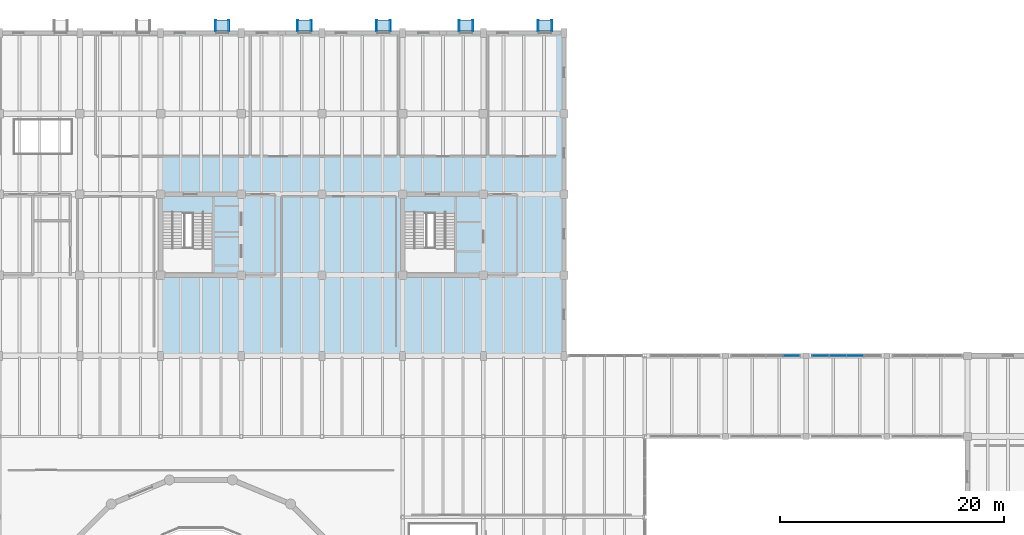
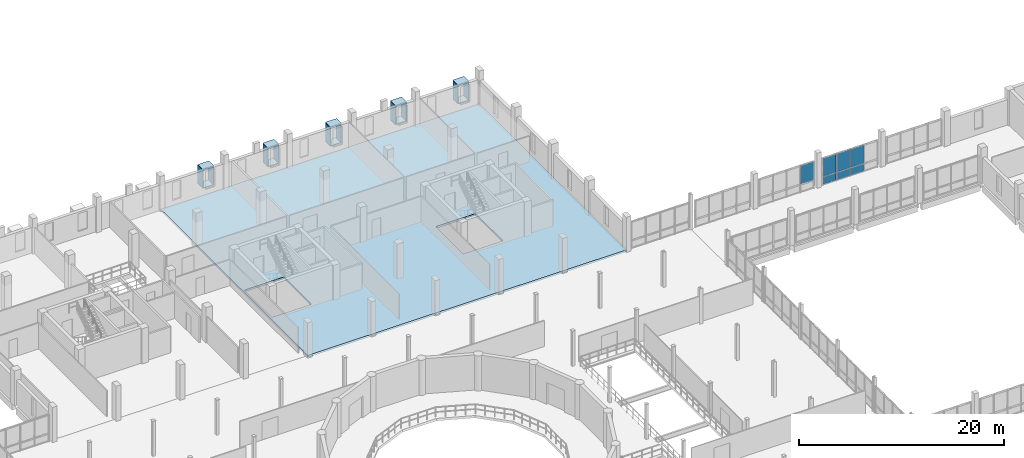
# One storey, part 50 of 72: 27 plates, 1 slab, 2 elements without a shape of their own.
"""IFC4 building model written with IfcOpenShell, lengths in metres."""

from ifc_helpers import new_model, si_unit, direction, frame, frame_2d, origin, origin_2d, place, context, subcontext, project, spatial, polyline, rectangle, outline, extrude, material, layer, layer_set, type_object, element, aggregate, save


model = new_model("IFC4")

# Units and contexts
model_context = context("Model", 3, precision=1e-05, world=origin(), true_north=direction((0.0, 1.0)))
body_context = subcontext(model_context, "Body", "Model", "MODEL_VIEW")
ifc_project = project(units=[si_unit("LENGTHUNIT", "METRE"), si_unit("AREAUNIT", "SQUARE_METRE"), si_unit("VOLUMEUNIT", "CUBIC_METRE"), si_unit("PLANEANGLEUNIT", "RADIAN"), si_unit("MASSUNIT", "GRAM", prefix="KILO")], contexts=[model_context])

# Site, building, storey
site_placement = place(None, origin())
site = spatial("IfcSite", under=ifc_project, at=site_placement, CompositionType="ELEMENT")
building_placement = place(site_placement, origin())
building = spatial("IfcBuilding", under=site, at=building_placement, Name="Qiaolan Assembly House", CompositionType="ELEMENT")
storey_placement = place(building_placement, frame((0.0, 0.0, 10.199951171875)))
storey = spatial("IfcBuildingStorey", under=building, at=storey_placement, Name="L02", CompositionType="ELEMENT", Elevation=10.199951171875)

# Curtain wall, plate
ifc_material_1 = material(Name="Anodised bronze aluminium", Category="aluminium")
curtain_wall_type = type_object("IfcCurtainWallType", Name="CW-CLOISTER-420", PredefinedType="NOTDEFINED", material=ifc_material_1)
curtain_wall_1_placement = place(storey_placement, origin())
curtain_wall_1 = element("IfcCurtainWall", 1, at=curtain_wall_1_placement, inside=storey, type_object=curtain_wall_type, Name="CW-05 North Cloister outer arcade L02-2", PredefinedType="NOTDEFINED")
ifc_material_2 = material(Name="Low-E double insulating glass", Category="glass")
ifc_layer_1 = layer(ifc_material_2, 0.02587890625)
ifc_layer_set_1 = layer_set([ifc_layer_1], Name="Low-E double insulating glass")
plate_type_1 = type_object("IfcPlateType", Name="CW-CLOISTER-420-PNL", PredefinedType="CURTAIN_PANEL", material=ifc_layer_set_1)
plate_1_placement = place(storey_placement, frame((121.85302734375, 86.39990234375, 0.97314453125), z_axis=(0.0, 0.0, 1.0), x_axis=(-1.0, 0.0, 0.0)))
plate_1 = element("IfcPlate", 2, at=plate_1_placement, type_object=plate_type_1, Name="GL-06 glazing panel CW-CLN-OUT-L02-1-2", PredefinedType="CURTAIN_PANEL", context=body_context, shape_type="SweptSolid", body=[
    extrude(rectangle(XDim=1.486083984375, YDim=0.02587890625, at=frame_2d((0.7431640625, 0.0))), origin(), (0.0, 0.0, 1.0), 2.19384765625),
])
aggregate(curtain_wall_1, [plate_1])

# Curtain wall, plates
curtain_wall_2_placement = place(storey_placement, origin())
curtain_wall_2 = element("IfcCurtainWall", 3, at=curtain_wall_2_placement, inside=storey, type_object=curtain_wall_type, Name="CW-05 North Cloister outer arcade L02-3", PredefinedType="NOTDEFINED")
plate_2_placement = place(storey_placement, frame((127.512939453125, 86.39990234375, 0.052978515625), z_axis=(0.0, 0.0, 1.0), x_axis=(-1.0, 0.0, 0.0)))
plate_2 = element("IfcPlate", 4, at=plate_2_placement, type_object=plate_type_1, Name="GL-06 glazing panel CW-CLN-OUT-L02-2-3", PredefinedType="CURTAIN_PANEL", context=body_context, shape_type="SweptSolid", body=[
    extrude(rectangle(XDim=1.48583984375, YDim=0.02587890625, at=frame_2d((0.742919921875, 0.0))), origin(), (0.0, 0.0, 1.0), 0.8740234375),
])
plate_3_placement = place(storey_placement, frame((127.512939453125, 86.39990234375, 0.97314453125), z_axis=(0.0, 0.0, 1.0), x_axis=(-1.0, 0.0, 0.0)))
plate_3 = element("IfcPlate", 5, at=plate_3_placement, type_object=plate_type_1, Name="GL-06 glazing panel CW-CLN-OUT-L02-2-4", PredefinedType="CURTAIN_PANEL", context=body_context, shape_type="SweptSolid", body=[
    extrude(rectangle(XDim=1.48583984375, YDim=0.02587890625, at=frame_2d((0.742919921875, 0.0))), origin(), (0.0, 0.0, 1.0), 2.19384765625),
])
plate_4_placement = place(storey_placement, frame((125.972900390625, 86.39990234375, 0.052978515625), z_axis=(0.0, 0.0, 1.0), x_axis=(-1.0, 0.0, 0.0)))
plate_4 = element("IfcPlate", 6, at=plate_4_placement, type_object=plate_type_1, Name="GL-06 glazing panel CW-CLN-OUT-L02-2-5", PredefinedType="CURTAIN_PANEL", context=body_context, shape_type="SweptSolid", body=[
    extrude(rectangle(XDim=1.48583984375, YDim=0.02587890625, at=frame_2d((0.742919921875, 0.0))), origin(), (0.0, 0.0, 1.0), 0.8740234375),
])
plate_5_placement = place(storey_placement, frame((125.972900390625, 86.39990234375, 0.97314453125), z_axis=(0.0, 0.0, 1.0), x_axis=(-1.0, 0.0, 0.0)))
plate_5 = element("IfcPlate", 7, at=plate_5_placement, type_object=plate_type_1, Name="GL-06 glazing panel CW-CLN-OUT-L02-2-6", PredefinedType="CURTAIN_PANEL", context=body_context, shape_type="SweptSolid", body=[
    extrude(rectangle(XDim=1.48583984375, YDim=0.02587890625, at=frame_2d((0.742919921875, 0.0))), origin(), (0.0, 0.0, 1.0), 2.19384765625),
])
plate_6_placement = place(storey_placement, frame((124.43310546875, 86.39990234375, 0.052978515625), z_axis=(0.0, 0.0, 1.0), x_axis=(-1.0, 0.0, 0.0)))
plate_6 = element("IfcPlate", 8, at=plate_6_placement, type_object=plate_type_1, Name="GL-06 glazing panel CW-CLN-OUT-L02-2-7", PredefinedType="CURTAIN_PANEL", context=body_context, shape_type="SweptSolid", body=[
    extrude(rectangle(XDim=1.486083984375, YDim=0.02587890625, at=frame_2d((0.7431640625, 0.0))), origin(), (0.0, 0.0, 1.0), 0.8740234375),
])
plate_7_placement = place(storey_placement, frame((124.43310546875, 86.39990234375, 0.97314453125), z_axis=(0.0, 0.0, 1.0), x_axis=(-1.0, 0.0, 0.0)))
plate_7 = element("IfcPlate", 9, at=plate_7_placement, type_object=plate_type_1, Name="GL-06 glazing panel CW-CLN-OUT-L02-2-8", PredefinedType="CURTAIN_PANEL", context=body_context, shape_type="SweptSolid", body=[
    extrude(rectangle(XDim=1.486083984375, YDim=0.02587890625, at=frame_2d((0.7431640625, 0.0))), origin(), (0.0, 0.0, 1.0), 2.19384765625),
])
aggregate(curtain_wall_2, [plate_2, plate_3, plate_4, plate_5, plate_6, plate_7])

# Plates
ifc_material_3 = material(Name="Honed pale limestone", Category="masonry")
ifc_layer_2 = layer(ifc_material_3, 0.0849609375)
ifc_layer_set_2 = layer_set([ifc_layer_2], Name="Honed pale limestone")
plate_type_2 = type_object("IfcPlateType", Name="PLT-WINBOX-CHEEK", PredefinedType="SHEET", material=ifc_layer_set_2)
for number, where, z_axis, x_axis, name in (
    (10, (69.70751953125, 115.860107421875, 0.7001953125), (0.0, 0.0, 1.0), (1.0, 0.0, 0.0), "WB-02 projecting window-box left cheek NWN-L02-04-0"),
    (11, (70.892578125, 115.860107421875, 0.7001953125), (0.0, 0.0, 1.0), (1.0, 0.0, 0.0), "WB-02 projecting window-box right cheek NWN-L02-04-0"),
    (12, (77.0576171875, 115.860107421875, 0.7001953125), (0.0, 0.0, 1.0), (1.0, 0.0, 0.0), "WB-02 projecting window-box left cheek NWN-L02-05-0"),
    (13, (78.242431640625, 115.860107421875, 0.7001953125), (0.0, 0.0, 1.0), (1.0, 0.0, 0.0), "WB-02 projecting window-box right cheek NWN-L02-05-0"),
    (14, (84.107421875, 115.860107421875, 0.7001953125), (0.0, 0.0, 1.0), (1.0, 0.0, 0.0), "WB-02 projecting window-box left cheek NWN-L02-06-0"),
    (15, (85.29248046875, 115.860107421875, 0.7001953125), (0.0, 0.0, 1.0), (1.0, 0.0, 0.0), "WB-02 projecting window-box right cheek NWN-L02-06-0"),
    (16, (91.45751953125, 115.860107421875, 0.7001953125), (0.0, 0.0, 1.0), (1.0, 0.0, 0.0), "WB-02 projecting window-box left cheek NWN-L02-07-0"),
    (17, (92.642578125, 115.860107421875, 0.7001953125), (0.0, 0.0, 1.0), (1.0, 0.0, 0.0), "WB-02 projecting window-box right cheek NWN-L02-07-0"),
    (18, (98.507568359375, 115.860107421875, 0.7001953125), (0.0, 0.0, 1.0), (1.0, 0.0, 0.0), "WB-02 projecting window-box left cheek NWN-L02-08-0"),
    (19, (99.6923828125, 115.860107421875, 0.7001953125), (0.0, 0.0, 1.0), (1.0, 0.0, 0.0), "WB-02 projecting window-box right cheek NWN-L02-08-0"),
):
    element("IfcPlate", number, at=place(storey_placement, frame(where, z_axis=z_axis, x_axis=x_axis)), inside=storey, type_object=plate_type_2, Name=name, PredefinedType="SHEET", context=body_context, shape_type="SweptSolid", body=[
        extrude(rectangle(XDim=0.0849609375, YDim=1.0, at=origin_2d()), origin(), (0.0, 0.0, 1.0), 2.139892578125),
    ])
ifc_layer_3 = layer(ifc_material_3, 0.080078125)
ifc_layer_set_3 = layer_set([ifc_layer_3], Name="Honed pale limestone")
plate_type_3 = type_object("IfcPlateType", Name="PLT-WINBOX-SURROUND", PredefinedType="SHEET", material=ifc_layer_set_3)
plate_8_placement = place(storey_placement, frame((0.0, 0.0, 0.6201171875)))
element("IfcPlate", 20, at=plate_8_placement, inside=storey, type_object=plate_type_3, Name="WB-01 projecting limestone window-box sill NWN-L02-04-0", PredefinedType="SHEET", context=body_context, shape_type="SweptSolid", body=[
    extrude(outline(polyline([(69.6650390625, 115.360107421875), (69.6650390625, 116.360107421875), (70.93505859375, 116.360107421875), (70.93505859375, 115.360107421875), (69.6650390625, 115.360107421875)])), origin(), (0.0, 0.0, 1.0), 0.079833984375),
])
plate_9_placement = place(storey_placement, frame((0.0, 0.0, 2.840087890625)))
element("IfcPlate", 21, at=plate_9_placement, inside=storey, type_object=plate_type_3, Name="WB-01 projecting limestone window-box hood NWN-L02-04-0", PredefinedType="SHEET", context=body_context, shape_type="SweptSolid", body=[
    extrude(outline(polyline([(69.6650390625, 115.360107421875), (69.6650390625, 116.360107421875), (70.93505859375, 116.360107421875), (70.93505859375, 115.360107421875), (69.6650390625, 115.360107421875)])), origin(), (0.0, 0.0, 1.0), 0.080078125),
])
plate_10_placement = place(storey_placement, frame((0.0, 0.0, 0.6201171875)))
element("IfcPlate", 22, at=plate_10_placement, inside=storey, type_object=plate_type_3, Name="WB-01 projecting limestone window-box sill NWN-L02-05-0", PredefinedType="SHEET", context=body_context, shape_type="SweptSolid", body=[
    extrude(outline(polyline([(77.014892578125, 115.360107421875), (77.014892578125, 116.360107421875), (78.284912109375, 116.360107421875), (78.284912109375, 115.360107421875), (77.014892578125, 115.360107421875)])), origin(), (0.0, 0.0, 1.0), 0.079833984375),
])
plate_11_placement = place(storey_placement, frame((0.0, 0.0, 2.840087890625)))
element("IfcPlate", 23, at=plate_11_placement, inside=storey, type_object=plate_type_3, Name="WB-01 projecting limestone window-box hood NWN-L02-05-0", PredefinedType="SHEET", context=body_context, shape_type="SweptSolid", body=[
    extrude(outline(polyline([(77.014892578125, 115.360107421875), (77.014892578125, 116.360107421875), (78.284912109375, 116.360107421875), (78.284912109375, 115.360107421875), (77.014892578125, 115.360107421875)])), origin(), (0.0, 0.0, 1.0), 0.080078125),
])
plate_12_placement = place(storey_placement, frame((0.0, 0.0, 0.6201171875)))
element("IfcPlate", 24, at=plate_12_placement, inside=storey, type_object=plate_type_3, Name="WB-01 projecting limestone window-box sill NWN-L02-06-0", PredefinedType="SHEET", context=body_context, shape_type="SweptSolid", body=[
    extrude(outline(polyline([(84.06494140625, 115.360107421875), (84.06494140625, 116.360107421875), (85.3349609375, 116.360107421875), (85.3349609375, 115.360107421875), (84.06494140625, 115.360107421875)])), origin(), (0.0, 0.0, 1.0), 0.079833984375),
])
plate_13_placement = place(storey_placement, frame((0.0, 0.0, 2.840087890625)))
element("IfcPlate", 25, at=plate_13_placement, inside=storey, type_object=plate_type_3, Name="WB-01 projecting limestone window-box hood NWN-L02-06-0", PredefinedType="SHEET", context=body_context, shape_type="SweptSolid", body=[
    extrude(outline(polyline([(84.06494140625, 115.360107421875), (84.06494140625, 116.360107421875), (85.3349609375, 116.360107421875), (85.3349609375, 115.360107421875), (84.06494140625, 115.360107421875)])), origin(), (0.0, 0.0, 1.0), 0.080078125),
])
plate_14_placement = place(storey_placement, frame((0.0, 0.0, 0.6201171875)))
element("IfcPlate", 26, at=plate_14_placement, inside=storey, type_object=plate_type_3, Name="WB-01 projecting limestone window-box sill NWN-L02-07-0", PredefinedType="SHEET", context=body_context, shape_type="SweptSolid", body=[
    extrude(outline(polyline([(91.4150390625, 115.360107421875), (91.4150390625, 116.360107421875), (92.68505859375, 116.360107421875), (92.68505859375, 115.360107421875), (91.4150390625, 115.360107421875)])), origin(), (0.0, 0.0, 1.0), 0.079833984375),
])
plate_15_placement = place(storey_placement, frame((0.0, 0.0, 2.840087890625)))
element("IfcPlate", 27, at=plate_15_placement, inside=storey, type_object=plate_type_3, Name="WB-01 projecting limestone window-box hood NWN-L02-07-0", PredefinedType="SHEET", context=body_context, shape_type="SweptSolid", body=[
    extrude(outline(polyline([(91.4150390625, 115.360107421875), (91.4150390625, 116.360107421875), (92.68505859375, 116.360107421875), (92.68505859375, 115.360107421875), (91.4150390625, 115.360107421875)])), origin(), (0.0, 0.0, 1.0), 0.080078125),
])
plate_16_placement = place(storey_placement, frame((0.0, 0.0, 0.6201171875)))
element("IfcPlate", 28, at=plate_16_placement, inside=storey, type_object=plate_type_3, Name="WB-01 projecting limestone window-box sill NWN-L02-08-0", PredefinedType="SHEET", context=body_context, shape_type="SweptSolid", body=[
    extrude(outline(polyline([(98.465087890625, 115.360107421875), (98.465087890625, 116.360107421875), (99.735107421875, 116.360107421875), (99.735107421875, 115.360107421875), (98.465087890625, 115.360107421875)])), origin(), (0.0, 0.0, 1.0), 0.079833984375),
])
plate_17_placement = place(storey_placement, frame((0.0, 0.0, 2.840087890625)))
element("IfcPlate", 29, at=plate_17_placement, inside=storey, type_object=plate_type_3, Name="WB-01 projecting limestone window-box hood NWN-L02-08-0", PredefinedType="SHEET", context=body_context, shape_type="SweptSolid", body=[
    extrude(outline(polyline([(98.465087890625, 115.360107421875), (98.465087890625, 116.360107421875), (99.735107421875, 116.360107421875), (99.735107421875, 115.360107421875), (98.465087890625, 115.360107421875)])), origin(), (0.0, 0.0, 1.0), 0.080078125),
])

# Slab
ifc_material_4 = material(Name="Concrete C40/50", Category="concrete")
ifc_layer_4 = layer(ifc_material_4, 0.22998046875)
ifc_layer_set_4 = layer_set([ifc_layer_4], Name="Concrete C40/50")
slab_type = type_object("IfcSlabType", Name="SLB-NW-FLOOR-230", PredefinedType="FLOOR", material=ifc_layer_set_4)
slab_placement = place(storey_placement, frame((0.0, 0.0, -0.22998046875)))
element("IfcSlab", 30, at=slab_placement, inside=storey, type_object=slab_type, Name="FS-06 North-West Wing East Plate L02", PredefinedType="FLOOR", context=body_context, shape_type="SweptSolid", body=[
    extrude(outline(polyline([(64.800048828125, 86.39990234375), (100.800048828125, 86.39990234375), (100.800048828125, 115.199951171875), (64.800048828125, 115.199951171875), (64.800048828125, 86.39990234375)]), holes=[polyline([(65.0, 93.800048828125), (65.0, 99.14990234375), (69.47998046875, 99.14990234375), (69.47998046875, 93.800048828125), (65.0, 93.800048828125)]), polyline([(86.60009765625, 93.800048828125), (86.60009765625, 99.14990234375), (91.080078125, 99.14990234375), (91.080078125, 93.800048828125), (86.60009765625, 93.800048828125)])]), origin(), (0.0, 0.0, 1.0), 0.22998046875),
])

save(model, "model.ifc")
